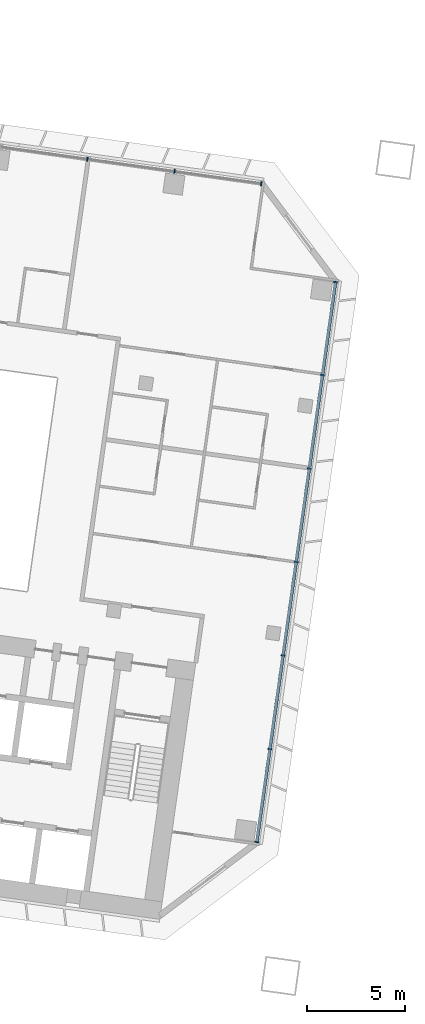
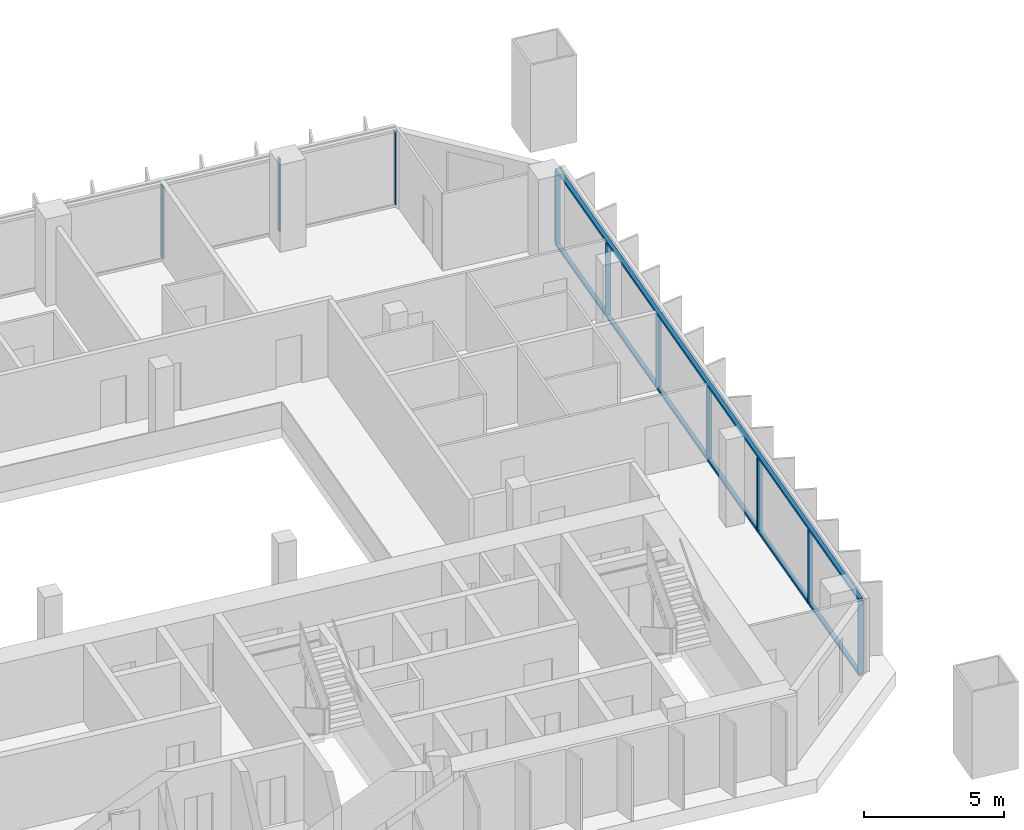
# One storey, part 6 of 25: 12 members, 2 elements without a shape of their own.
"""IFC4 building model written with IfcOpenShell, lengths in metres."""

from ifc_helpers import new_model, si_unit, direction, frame, origin, origin_2d, place, context, subcontext, project, spatial, rectangle, extrude, material, material_profile, profile_set, type_object, element, aggregate, save


model = new_model("IFC4")

# Units and contexts
model_context = context("Model", 3, precision=1e-05, world=origin(), true_north=direction((0.0, 1.0)))
body_context = subcontext(model_context, "Body", "Model", "MODEL_VIEW")
ifc_project = project(units=[si_unit("LENGTHUNIT", "METRE"), si_unit("AREAUNIT", "SQUARE_METRE"), si_unit("VOLUMEUNIT", "CUBIC_METRE"), si_unit("PLANEANGLEUNIT", "RADIAN"), si_unit("MASSUNIT", "GRAM", prefix="KILO")], contexts=[model_context])

# Site, building, storey
site_placement = place(None, origin())
site = spatial("IfcSite", under=ifc_project, at=site_placement, CompositionType="ELEMENT")
building_placement = place(site_placement, origin())
building = spatial("IfcBuilding", under=site, at=building_placement, Name="Mirante Cascada Hotel Towers", CompositionType="ELEMENT")
storey_placement = place(building_placement, frame((0.0, 0.0, 69.9)))
storey = spatial("IfcBuildingStorey", under=building, at=storey_placement, Name="L14", CompositionType="ELEMENT", Elevation=69.9)

# Curtain wall, members
ifc_material_1 = material(Name="Aluminium mullion and transom frame with clear laminated glass", Category="aluminium")
curtain_wall_type_1 = type_object("IfcCurtainWallType", Name="Ribbon curtain wall ECW1", PredefinedType="NOTDEFINED", material=ifc_material_1)
curtain_wall_1_placement = place(storey_placement, origin())
curtain_wall_1 = element("IfcCurtainWall", 1, at=curtain_wall_1_placement, inside=storey, type_object=curtain_wall_type_1, Name="Front ribbon wall T1 L14", PredefinedType="NOTDEFINED")
ifc_material_2 = material(Name="Anodised aluminium extrusion", Category="aluminium")
ifc_material_profile_1 = material_profile(ifc_material_2, rectangle(XDim=0.2, YDim=0.065, at=origin_2d()), Name="ECW1 MULLION 65x200")
ifc_profile_set_1 = profile_set([ifc_material_profile_1], Name="Anodised aluminium extrusion")
member_type_1 = type_object("IfcMemberType", Name="ECW1 mullion 65x200", PredefinedType="MULLION", material=ifc_profile_set_1)
member_1_placement = place(storey_placement, frame((-40.7892, 18.5516, 0.1), z_axis=(0.0, 0.0, 1.0), x_axis=(0.1391731, 0.9902681, 0.0)))
member_1 = element("IfcMember", 2, at=member_1_placement, type_object=member_type_1, Name="ECW1 mullion 13", PredefinedType="MULLION", context=body_context, shape_type="SweptSolid", body=[
    extrude(rectangle(XDim=0.2, YDim=0.065, at=origin_2d()), origin(), (0.0, 0.0, 1.0), 3.15),
])
member_2_placement = place(storey_placement, frame((-36.3417, 17.9265, 0.1), z_axis=(0.0, 0.0, 1.0), x_axis=(0.1391731, 0.9902681, 0.0)))
member_2 = element("IfcMember", 3, at=member_2_placement, type_object=member_type_1, Name="ECW1 mullion 14", PredefinedType="MULLION", context=body_context, shape_type="SweptSolid", body=[
    extrude(rectangle(XDim=0.2, YDim=0.065, at=origin_2d()), origin(), (0.0, 0.0, 1.0), 3.15),
])
member_3_placement = place(storey_placement, frame((-31.9265, 17.306, 0.1), z_axis=(0.0, 0.0, 1.0), x_axis=(0.1391731, 0.9902681, 0.0)))
member_3 = element("IfcMember", 4, at=member_3_placement, type_object=member_type_1, Name="ECW1 mullion 15", PredefinedType="MULLION", context=body_context, shape_type="SweptSolid", body=[
    extrude(rectangle(XDim=0.2, YDim=0.065, at=origin_2d()), origin(), (0.0, 0.0, 1.0), 3.15),
])
aggregate(curtain_wall_1, [member_1, member_2, member_3])

ifc_material_3 = material(Name="Aluminium mullion and transom frame with clear laminated glass", Category="aluminium")
curtain_wall_type_2 = type_object("IfcCurtainWallType", Name="End ribbon curtain wall ECW2", PredefinedType="NOTDEFINED", material=ifc_material_3)
curtain_wall_2_placement = place(storey_placement, origin())
curtain_wall_2 = element("IfcCurtainWall", 5, at=curtain_wall_2_placement, inside=storey, type_object=curtain_wall_type_2, Name="Inner end wall T1 L14", PredefinedType="NOTDEFINED")
ifc_material_4 = material(Name="Anodised aluminium extrusion", Category="aluminium")
ifc_material_profile_2 = material_profile(ifc_material_4, rectangle(XDim=0.2, YDim=0.065, at=origin_2d()), Name="ECW2 MULLION 65x200")
ifc_profile_set_2 = profile_set([ifc_material_profile_2], Name="Anodised aluminium extrusion")
member_type_2 = type_object("IfcMemberType", Name="ECW2 mullion 65x200", PredefinedType="MULLION", material=ifc_profile_set_2)
member_4_placement = place(storey_placement, frame((-28.1437, 12.2861, 0.1), z_axis=(0.0, 0.0, 1.0), x_axis=(0.9902681, -0.1391731, 0.0)))
member_4 = element("IfcMember", 6, at=member_4_placement, type_object=member_type_2, Name="ECW2 mullion 1", PredefinedType="MULLION", context=body_context, shape_type="SweptSolid", body=[
    extrude(rectangle(XDim=0.2, YDim=0.065, at=origin_2d()), origin(), (0.0, 0.0, 1.0), 3.15),
])
member_5_placement = place(storey_placement, frame((-28.809, 7.5524, 0.1), z_axis=(0.0, 0.0, 1.0), x_axis=(0.9902681, -0.1391731, 0.0)))
member_5 = element("IfcMember", 7, at=member_5_placement, type_object=member_type_2, Name="ECW2 mullion 2", PredefinedType="MULLION", context=body_context, shape_type="SweptSolid", body=[
    extrude(rectangle(XDim=0.2, YDim=0.065, at=origin_2d()), origin(), (0.0, 0.0, 1.0), 3.15),
])
member_6_placement = place(storey_placement, frame((-29.4788, 2.7867, 0.1), z_axis=(0.0, 0.0, 1.0), x_axis=(0.9902681, -0.1391731, 0.0)))
member_6 = element("IfcMember", 8, at=member_6_placement, type_object=member_type_2, Name="ECW2 mullion 3", PredefinedType="MULLION", context=body_context, shape_type="SweptSolid", body=[
    extrude(rectangle(XDim=0.2, YDim=0.065, at=origin_2d()), origin(), (0.0, 0.0, 1.0), 3.15),
])
member_7_placement = place(storey_placement, frame((-30.1485, -1.9791, 0.1), z_axis=(0.0, 0.0, 1.0), x_axis=(0.9902681, -0.1391731, 0.0)))
member_7 = element("IfcMember", 9, at=member_7_placement, type_object=member_type_2, Name="ECW2 mullion 4", PredefinedType="MULLION", context=body_context, shape_type="SweptSolid", body=[
    extrude(rectangle(XDim=0.2, YDim=0.065, at=origin_2d()), origin(), (0.0, 0.0, 1.0), 3.15),
])
member_8_placement = place(storey_placement, frame((-30.8183, -6.7449, 0.1), z_axis=(0.0, 0.0, 1.0), x_axis=(0.9902681, -0.1391731, 0.0)))
member_8 = element("IfcMember", 10, at=member_8_placement, type_object=member_type_2, Name="ECW2 mullion 5", PredefinedType="MULLION", context=body_context, shape_type="SweptSolid", body=[
    extrude(rectangle(XDim=0.2, YDim=0.065, at=origin_2d()), origin(), (0.0, 0.0, 1.0), 3.15),
])
member_9_placement = place(storey_placement, frame((-31.4881, -11.5107, 0.1), z_axis=(0.0, 0.0, 1.0), x_axis=(0.9902681, -0.1391731, 0.0)))
member_9 = element("IfcMember", 11, at=member_9_placement, type_object=member_type_2, Name="ECW2 mullion 6", PredefinedType="MULLION", context=body_context, shape_type="SweptSolid", body=[
    extrude(rectangle(XDim=0.2, YDim=0.065, at=origin_2d()), origin(), (0.0, 0.0, 1.0), 3.15),
])
member_10_placement = place(storey_placement, frame((-32.1534, -16.2443, 0.1), z_axis=(0.0, 0.0, 1.0), x_axis=(0.9902681, -0.1391731, 0.0)))
member_10 = element("IfcMember", 12, at=member_10_placement, type_object=member_type_2, Name="ECW2 mullion 7", PredefinedType="MULLION", context=body_context, shape_type="SweptSolid", body=[
    extrude(rectangle(XDim=0.2, YDim=0.065, at=origin_2d()), origin(), (0.0, 0.0, 1.0), 3.15),
])
ifc_material_5 = material(Name="Anodised aluminium extrusion", Category="aluminium")
ifc_material_profile_3 = material_profile(ifc_material_5, rectangle(XDim=0.16, YDim=0.1, at=origin_2d()), Name="ECW2 TRANSOM 100x160")
ifc_profile_set_3 = profile_set([ifc_material_profile_3], Name="Anodised aluminium extrusion")
member_type_3 = type_object("IfcMemberType", Name="ECW2 transom 100x160", PredefinedType="USERDEFINED", material=ifc_profile_set_3)
member_11_placement = place(storey_placement, frame((-28.1392, 12.3182, 0.05), z_axis=(-0.1391723, -0.9902682, 0.0), x_axis=(0.9902682, -0.1391723, 0.0)))
member_11 = element("IfcMember", 13, at=member_11_placement, type_object=member_type_3, Name="ECW2 sill transom", ObjectType="TRANSOM", PredefinedType="USERDEFINED", context=body_context, shape_type="SweptSolid", body=[
    extrude(rectangle(XDim=0.16, YDim=0.1, at=origin_2d()), origin(), (0.0, 0.0, 1.0), 28.8757),
])
member_12_placement = place(storey_placement, frame((-28.1392, 12.3182, 3.3), z_axis=(-0.1391723, -0.9902682, 0.0), x_axis=(0.9902682, -0.1391723, 0.0)))
member_12 = element("IfcMember", 14, at=member_12_placement, type_object=member_type_3, Name="ECW2 head transom", ObjectType="TRANSOM", PredefinedType="USERDEFINED", context=body_context, shape_type="SweptSolid", body=[
    extrude(rectangle(XDim=0.16, YDim=0.1, at=origin_2d()), origin(), (0.0, 0.0, 1.0), 28.8757),
])
aggregate(curtain_wall_2, [member_11, member_12, member_4, member_5, member_6, member_7, member_8, member_9, member_10])

save(model, "model.ifc")
